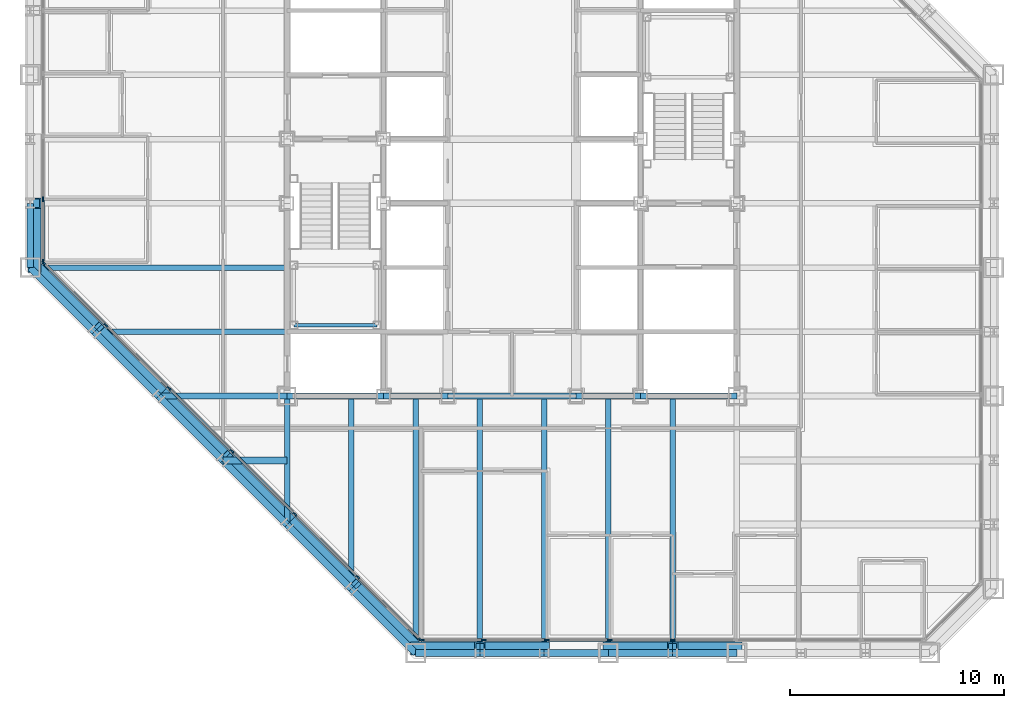
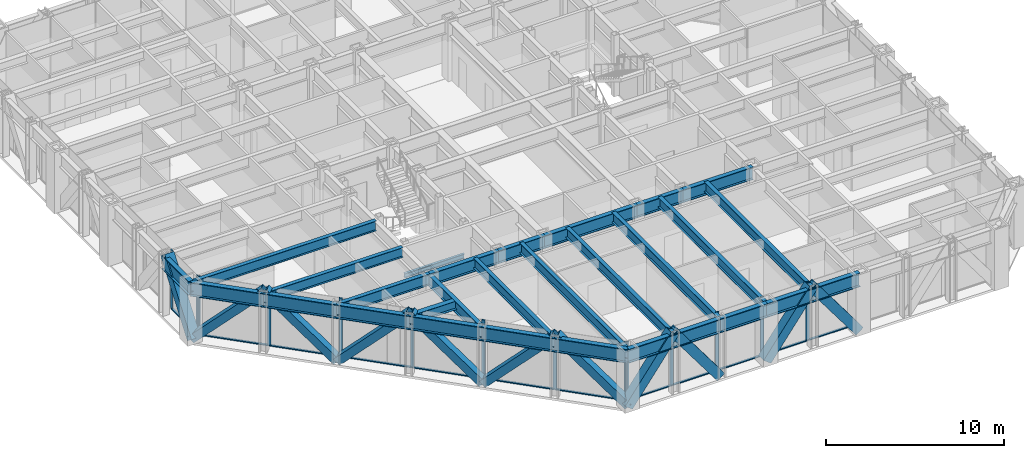
# One storey, part 4 of 16: 37 members, 29 beams, 3 elements without a shape of their own.
"""IFC4 building model written with IfcOpenShell, lengths in metres."""

from ifc_helpers import new_model, si_unit, direction, frame, origin, origin_2d, place, context, subcontext, project, spatial, rectangle, hollow_rectangle, i_section, extrude, material, layer, layer_set, material_profile, profile_set, type_object, element, aggregate, save


model = new_model("IFC4")

# Units and contexts
model_context = context("Model", 3, precision=1e-05, world=origin(), true_north=direction((0.0, 1.0)))
body_context = subcontext(model_context, "Body", "Model", "MODEL_VIEW")
ifc_project = project(units=[si_unit("LENGTHUNIT", "METRE"), si_unit("AREAUNIT", "SQUARE_METRE"), si_unit("VOLUMEUNIT", "CUBIC_METRE"), si_unit("PLANEANGLEUNIT", "RADIAN"), si_unit("MASSUNIT", "GRAM", prefix="KILO")], contexts=[model_context])

# Site, building, storey
site_placement = place(None, origin())
site = spatial("IfcSite", under=ifc_project, at=site_placement, CompositionType="ELEMENT")
building_placement = place(site_placement, origin())
building = spatial("IfcBuilding", under=site, at=building_placement, Name="Chuquiago Exchange Tower", CompositionType="ELEMENT")
storey_placement = place(building_placement, frame((0.0, 0.0, 140.39990234375)))
storey = spatial("IfcBuildingStorey", under=building, at=storey_placement, Name="L30", CompositionType="ELEMENT", Elevation=140.39990234375)

# Beams
ifc_material_1 = material(Name="Steel ASTM A992", Category="steel")
ifc_material_profile_1 = material_profile(ifc_material_1, i_section(OverallWidth=0.25390625, OverallDepth=0.683349609375, WebThickness=0.012451171875, FlangeThickness=0.018798828125, at=origin_2d()), Name="W27X94")
ifc_profile_set_1 = profile_set([ifc_material_profile_1], Name="Steel ASTM A992")
beam_type_1 = type_object("IfcBeamType", Name="B1 W27X94", PredefinedType="BEAM", material=ifc_profile_set_1)
beam_1_placement = place(storey_placement, frame((15.0, 12.0, 3.698486328125), z_axis=(0.0, -1.0, 0.0), x_axis=(1.0, 0.0, 0.0)))
element("IfcBeam", 1, at=beam_1_placement, inside=storey, type_object=beam_type_1, Name="FB-L31-infill-15_12-15_3-0", PredefinedType="BEAM", context=body_context, shape_type="SweptSolid", body=[
    extrude(i_section(OverallWidth=0.25390625, OverallDepth=0.683349609375, WebThickness=0.012451171875, FlangeThickness=0.018798828125, at=origin_2d()), origin(), (0.0, 0.0, 1.0), 9.0),
])
for number, where, z_axis, x_axis, name in (
    (2, (18.0, 12.0, 3.698486328125), (0.0, -1.0, 0.0), (1.0, 0.0, 0.0), "FB-L31-infill-18_12-18_-0-0"),
    (3, (21.0, 12.0, 3.698486328125), (0.0, -1.0, 0.0), (1.0, 0.0, 0.0), "FB-L31-infill-21_12-21_-0-0"),
    (4, (24.0, 12.0, 3.698486328125), (0.0, -1.0, 0.0), (1.0, 0.0, 0.0), "FB-L31-infill-24_12-24_-0-0"),
    (5, (27.0, 12.0, 3.698486328125), (0.0, -1.0, 0.0), (1.0, 0.0, 0.0), "FB-L31-infill-27_12-27_-0-0"),
    (6, (30.0, 12.0, 3.698486328125), (0.0, -1.0, 0.0), (1.0, 0.0, 0.0), "FB-L31-infill-30_12-30_-0-0"),
):
    element("IfcBeam", number, at=place(storey_placement, frame(where, z_axis=z_axis, x_axis=x_axis)), inside=storey, type_object=beam_type_1, Name=name, PredefinedType="BEAM", context=body_context, shape_type="SweptSolid", body=[
        extrude(i_section(OverallWidth=0.25390625, OverallDepth=0.683349609375, WebThickness=0.012451171875, FlangeThickness=0.018798828125, at=origin_2d()), origin(), (0.0, 0.0, 1.0), 12.0),
    ])
beam_2_placement = place(storey_placement, frame((12.0, 15.0, 3.698486328125), z_axis=(-1.0, 0.0, 0.0), x_axis=(0.0, -1.0, 0.0)))
element("IfcBeam", 7, at=beam_2_placement, inside=storey, type_object=beam_type_1, Name="FB-L31-infill-12_15-3_15-0", PredefinedType="BEAM", context=body_context, shape_type="SweptSolid", body=[
    extrude(i_section(OverallWidth=0.25390625, OverallDepth=0.683349609375, WebThickness=0.012451171875, FlangeThickness=0.018798828125, at=origin_2d()), origin(), (0.0, 0.0, 1.0), 9.0),
])
beam_3_placement = place(storey_placement, frame((12.0, 18.0, 3.698486328125), z_axis=(-1.0, 0.0, 0.0), x_axis=(0.0, -1.0, 0.0)))
element("IfcBeam", 8, at=beam_3_placement, inside=storey, type_object=beam_type_1, Name="FB-L31-infill-12_18--0_18-0", PredefinedType="BEAM", context=body_context, shape_type="SweptSolid", body=[
    extrude(i_section(OverallWidth=0.25390625, OverallDepth=0.683349609375, WebThickness=0.012451171875, FlangeThickness=0.018798828125, at=origin_2d()), origin(), (0.0, 0.0, 1.0), 12.0),
])
ifc_material_2 = material(Name="Steel ASTM A992", Category="steel")
ifc_material_profile_2 = material_profile(ifc_material_2, i_section(OverallWidth=0.3251953125, OverallDepth=0.612060546875, WebThickness=0.0126953125, FlangeThickness=0.01904296875, at=origin_2d()), Name="W24X104")
ifc_profile_set_2 = profile_set([ifc_material_profile_2], Name="Steel ASTM A992")
beam_type_2 = type_object("IfcBeamType", Name="B2 W24X104", PredefinedType="BEAM", material=ifc_profile_set_2)
beam_4_placement = place(storey_placement, frame((12.0, 9.0, 3.73388671875), z_axis=(-1.0, 0.0, 0.0), x_axis=(0.0, -1.0, 0.0)))
element("IfcBeam", 9, at=beam_4_placement, inside=storey, type_object=beam_type_2, Name="FB-L31-corner-12_9-9_9-0", PredefinedType="BEAM", context=body_context, shape_type="SweptSolid", body=[
    extrude(i_section(OverallWidth=0.3251953125, OverallDepth=0.612060546875, WebThickness=0.0126953125, FlangeThickness=0.01904296875, at=origin_2d()), origin(), (0.0, 0.0, 1.0), 3.0),
])
ifc_material_3 = material(Name="Steel ASTM A992", Category="steel")
ifc_material_profile_3 = material_profile(ifc_material_3, i_section(OverallWidth=0.2919921875, OverallDepth=0.8583984375, WebThickness=0.01708984375, FlangeThickness=0.031005859375, at=origin_2d()), Name="W33X169")
ifc_profile_set_3 = profile_set([ifc_material_profile_3], Name="Steel ASTM A992")
beam_type_3 = type_object("IfcBeamType", Name="B3 W33X169", PredefinedType="BEAM", material=ifc_profile_set_3)
beam_5_placement = place(storey_placement, frame((12.0, 12.0, 3.61083984375), z_axis=(1.0, 0.0, 0.0), x_axis=(0.0, 1.0, 0.0)))
element("IfcBeam", 10, at=beam_5_placement, inside=storey, type_object=beam_type_3, Name="CB-L31-12_12-16.5_12", PredefinedType="BEAM", context=body_context, shape_type="SweptSolid", body=[
    extrude(i_section(OverallWidth=0.2919921875, OverallDepth=0.8583984375, WebThickness=0.01708984375, FlangeThickness=0.031005859375, at=origin_2d()), origin(), (0.0, 0.0, 1.0), 4.5),
])
beam_6_placement = place(storey_placement, frame((16.5, 12.0, 3.61083984375), z_axis=(1.0, 0.0, 0.0), x_axis=(0.0, 1.0, 0.0)))
element("IfcBeam", 11, at=beam_6_placement, inside=storey, type_object=beam_type_3, Name="CB-L31-16.5_12-19.5_12", PredefinedType="BEAM", context=body_context, shape_type="SweptSolid", body=[
    extrude(i_section(OverallWidth=0.2919921875, OverallDepth=0.8583984375, WebThickness=0.01708984375, FlangeThickness=0.031005859375, at=origin_2d()), origin(), (0.0, 0.0, 1.0), 3.0),
])
beam_7_placement = place(storey_placement, frame((19.5, 12.0, 3.61083984375), z_axis=(1.0, 0.0, 0.0), x_axis=(0.0, 1.0, 0.0)))
element("IfcBeam", 12, at=beam_7_placement, inside=storey, type_object=beam_type_3, Name="CB-L31-19.5_12-25.5_12", PredefinedType="BEAM", context=body_context, shape_type="SweptSolid", body=[
    extrude(i_section(OverallWidth=0.2919921875, OverallDepth=0.8583984375, WebThickness=0.01708984375, FlangeThickness=0.031005859375, at=origin_2d()), origin(), (0.0, 0.0, 1.0), 6.0),
])
beam_8_placement = place(storey_placement, frame((25.5, 12.0, 3.61083984375), z_axis=(1.0, 0.0, 0.0), x_axis=(0.0, 1.0, 0.0)))
element("IfcBeam", 13, at=beam_8_placement, inside=storey, type_object=beam_type_3, Name="CB-L31-25.5_12-28.5_12", PredefinedType="BEAM", context=body_context, shape_type="SweptSolid", body=[
    extrude(i_section(OverallWidth=0.2919921875, OverallDepth=0.8583984375, WebThickness=0.01708984375, FlangeThickness=0.031005859375, at=origin_2d()), origin(), (0.0, 0.0, 1.0), 3.0),
])
beam_9_placement = place(storey_placement, frame((28.5, 12.0, 3.61083984375), z_axis=(1.0, 0.0, 0.0), x_axis=(0.0, 1.0, 0.0)))
element("IfcBeam", 14, at=beam_9_placement, inside=storey, type_object=beam_type_3, Name="CB-L31-28.5_12-33_12", PredefinedType="BEAM", context=body_context, shape_type="SweptSolid", body=[
    extrude(i_section(OverallWidth=0.2919921875, OverallDepth=0.8583984375, WebThickness=0.01708984375, FlangeThickness=0.031005859375, at=origin_2d()), origin(), (0.0, 0.0, 1.0), 4.5),
])

# Curtain wall, members
ifc_material_4 = material(Name="Aluminium curtain wall system", Category="aluminium")
ifc_layer_1 = layer(ifc_material_4, 0.22509765625)
ifc_layer_set_1 = layer_set([ifc_layer_1], Name="CW2 office curtain wall")
curtain_wall_type_1 = type_object("IfcCurtainWallType", Name="CW2 office curtain wall", PredefinedType="NOTDEFINED", material=ifc_layer_set_1)
curtain_wall_1_placement = place(storey_placement, origin())
curtain_wall_1 = element("IfcCurtainWall", 15, at=curtain_wall_1_placement, inside=storey, type_object=curtain_wall_type_1, Name="CW2 curtain wall L30", PredefinedType="NOTDEFINED")
ifc_material_5 = material(Name="Aluminium mullion, pale anodised", Category="aluminium")
ifc_material_profile_4 = material_profile(ifc_material_5, rectangle(XDim=0.06494140625, YDim=0.22509765625, at=origin_2d()), Name="AL 65x225")
ifc_profile_set_4 = profile_set([ifc_material_profile_4], Name="Aluminium mullion, pale anodised")
member_type_1 = type_object("IfcMemberType", Name="CW2-M mullion 65x225", PredefinedType="MULLION", material=ifc_profile_set_4)
member_1_placement = place(storey_placement, frame((18.281005859375, 0.60009765625, 0.0), z_axis=(0.0, 0.0, 1.0), x_axis=(0.0, 1.0, 0.0)))
member_1 = element("IfcMember", 16, at=member_1_placement, type_object=member_type_1, Name="CW2 mullion 1", PredefinedType="MULLION", context=body_context, shape_type="SweptSolid", body=[
    extrude(rectangle(XDim=0.06494140625, YDim=0.22509765625, at=origin_2d()), origin(), (0.0, 0.0, 1.0), 4.0400390625),
])
member_2_placement = place(storey_placement, frame((21.186279296875, 0.60009765625, 0.0), z_axis=(0.0, 0.0, 1.0), x_axis=(0.0, 1.0, 0.0)))
member_2 = element("IfcMember", 17, at=member_2_placement, type_object=member_type_1, Name="CW2 mullion 2", PredefinedType="MULLION", context=body_context, shape_type="SweptSolid", body=[
    extrude(rectangle(XDim=0.06494140625, YDim=0.22509765625, at=origin_2d()), origin(), (0.0, 0.0, 1.0), 4.0400390625),
])
member_3_placement = place(storey_placement, frame((24.124267578125, 0.60009765625, 0.0), z_axis=(0.0, 0.0, 1.0), x_axis=(0.0, 1.0, 0.0)))
member_3 = element("IfcMember", 18, at=member_3_placement, type_object=member_type_1, Name="CW2 mullion 3", PredefinedType="MULLION", context=body_context, shape_type="SweptSolid", body=[
    extrude(rectangle(XDim=0.06494140625, YDim=0.22509765625, at=origin_2d()), origin(), (0.0, 0.0, 1.0), 4.0400390625),
])
member_4_placement = place(storey_placement, frame((27.06201171875, 0.60009765625, 0.0), z_axis=(0.0, 0.0, 1.0), x_axis=(0.0, 1.0, 0.0)))
member_4 = element("IfcMember", 19, at=member_4_placement, type_object=member_type_1, Name="CW2 mullion 4", PredefinedType="MULLION", context=body_context, shape_type="SweptSolid", body=[
    extrude(rectangle(XDim=0.06494140625, YDim=0.22509765625, at=origin_2d()), origin(), (0.0, 0.0, 1.0), 4.0400390625),
])
member_5_placement = place(storey_placement, frame((30.0, 0.60009765625, 0.0), z_axis=(0.0, 0.0, 1.0), x_axis=(0.0, 1.0, 0.0)))
member_5 = element("IfcMember", 20, at=member_5_placement, type_object=member_type_1, Name="CW2 mullion 5", PredefinedType="MULLION", context=body_context, shape_type="SweptSolid", body=[
    extrude(rectangle(XDim=0.06494140625, YDim=0.22509765625, at=origin_2d()), origin(), (0.0, 0.0, 1.0), 4.0400390625),
])

curtain_wall_2_placement = place(storey_placement, origin())
curtain_wall_2 = element("IfcCurtainWall", 21, at=curtain_wall_2_placement, inside=storey, type_object=curtain_wall_type_1, Name="CW2 curtain wall L30", PredefinedType="NOTDEFINED")
member_6_placement = place(storey_placement, frame((0.60009765625, 21.186279296875, 0.0), z_axis=(0.0, 0.0, 1.0), x_axis=(1.0, 0.0, 0.0)))
member_6 = element("IfcMember", 22, at=member_6_placement, type_object=member_type_1, Name="CW2 mullion 8", PredefinedType="MULLION", context=body_context, shape_type="SweptSolid", body=[
    extrude(rectangle(XDim=0.06494140625, YDim=0.22509765625, at=origin_2d()), origin(), (0.0, 0.0, 1.0), 4.0400390625),
])
member_7_placement = place(storey_placement, frame((0.60009765625, 18.281005859375, 0.0), z_axis=(0.0, 0.0, 1.0), x_axis=(1.0, 0.0, 0.0)))
member_7 = element("IfcMember", 23, at=member_7_placement, type_object=member_type_1, Name="CW2 mullion 9", PredefinedType="MULLION", context=body_context, shape_type="SweptSolid", body=[
    extrude(rectangle(XDim=0.06494140625, YDim=0.22509765625, at=origin_2d()), origin(), (0.0, 0.0, 1.0), 4.0400390625),
])

# Member
ifc_material_6 = material(Name="Aluminium transom, pale anodised", Category="aluminium")
ifc_material_profile_5 = material_profile(ifc_material_6, rectangle(XDim=0.139892578125, YDim=0.06494140625, at=origin_2d()), Name="AL 140x65")
ifc_profile_set_5 = profile_set([ifc_material_profile_5], Name="Aluminium transom, pale anodised")
member_type_2 = type_object("IfcMemberType", Name="CW2-T transom 65x140", PredefinedType="MULLION", material=ifc_profile_set_5)
member_8_placement = place(storey_placement, frame((18.3134765625, 0.60009765625, 0.03271484375), z_axis=(1.0, 0.0, 0.0), x_axis=(0.0, 1.0, 0.0)))
member_8 = element("IfcMember", 24, at=member_8_placement, type_object=member_type_2, Name="CW2 transom 1.1", PredefinedType="MULLION", context=body_context, shape_type="SweptSolid", body=[
    extrude(rectangle(XDim=0.139892578125, YDim=0.06494140625, at=origin_2d()), origin(), (0.0, 0.0, 1.0), 2.84033203125),
])

member_9_placement = place(storey_placement, frame((21.218994140625, 0.60009765625, 0.03271484375), z_axis=(1.0, 0.0, 0.0), x_axis=(0.0, 1.0, 0.0)))
member_9 = element("IfcMember", 25, at=member_9_placement, type_object=member_type_2, Name="CW2 transom 2.1", PredefinedType="MULLION", context=body_context, shape_type="SweptSolid", body=[
    extrude(rectangle(XDim=0.139892578125, YDim=0.06494140625, at=origin_2d()), origin(), (0.0, 0.0, 1.0), 2.872802734375),
])

member_10_placement = place(storey_placement, frame((24.15673828125, 0.60009765625, 0.03271484375), z_axis=(1.0, 0.0, 0.0), x_axis=(0.0, 1.0, 0.0)))
member_10 = element("IfcMember", 26, at=member_10_placement, type_object=member_type_2, Name="CW2 transom 3.1", PredefinedType="MULLION", context=body_context, shape_type="SweptSolid", body=[
    extrude(rectangle(XDim=0.139892578125, YDim=0.06494140625, at=origin_2d()), origin(), (0.0, 0.0, 1.0), 2.872802734375),
])

member_11_placement = place(storey_placement, frame((27.0947265625, 0.60009765625, 0.03271484375), z_axis=(1.0, 0.0, 0.0), x_axis=(0.0, 1.0, 0.0)))
member_11 = element("IfcMember", 27, at=member_11_placement, type_object=member_type_2, Name="CW2 transom 4.1", PredefinedType="MULLION", context=body_context, shape_type="SweptSolid", body=[
    extrude(rectangle(XDim=0.139892578125, YDim=0.06494140625, at=origin_2d()), origin(), (0.0, 0.0, 1.0), 2.872802734375),
])

member_12_placement = place(storey_placement, frame((30.032470703125, 0.60009765625, 0.03271484375), z_axis=(1.0, 0.0, 0.0), x_axis=(0.0, 1.0, 0.0)))
member_12 = element("IfcMember", 28, at=member_12_placement, type_object=member_type_2, Name="CW2 transom 5.1", PredefinedType="MULLION", context=body_context, shape_type="SweptSolid", body=[
    extrude(rectangle(XDim=0.139892578125, YDim=0.06494140625, at=origin_2d()), origin(), (0.0, 0.0, 1.0), 2.872802734375),
])

aggregate(curtain_wall_1, [member_1, member_2, member_3, member_4, member_5, member_8, member_9, member_10, member_11, member_12])

member_13_placement = place(storey_placement, frame((0.60009765625, 21.15380859375, 0.03271484375), z_axis=(0.0, -1.0, 0.0), x_axis=(1.0, 0.0, 0.0)))
member_13 = element("IfcMember", 29, at=member_13_placement, type_object=member_type_2, Name="CW2 transom 8.1", PredefinedType="MULLION", context=body_context, shape_type="SweptSolid", body=[
    extrude(rectangle(XDim=0.139892578125, YDim=0.06494140625, at=origin_2d()), origin(), (0.0, 0.0, 1.0), 2.84033203125),
])

aggregate(curtain_wall_2, [member_6, member_7, member_13])

# Curtain wall, members
ifc_material_7 = material(Name="Aluminium curtain wall system", Category="aluminium")
ifc_layer_2 = layer(ifc_material_7, 0.199951171875)
ifc_layer_set_2 = layer_set([ifc_layer_2], Name="CW3 facet curtain wall")
curtain_wall_type_2 = type_object("IfcCurtainWallType", Name="CW3 facet curtain wall", PredefinedType="NOTDEFINED", material=ifc_layer_set_2)
curtain_wall_3_placement = place(storey_placement, origin())
curtain_wall_3 = element("IfcCurtainWall", 30, at=curtain_wall_3_placement, inside=storey, type_object=curtain_wall_type_2, Name="CW3 curtain wall L30", PredefinedType="NOTDEFINED")
ifc_material_8 = material(Name="Aluminium mullion, pale anodised", Category="aluminium")
ifc_material_profile_6 = material_profile(ifc_material_8, rectangle(XDim=0.06494140625, YDim=0.199951171875, at=origin_2d()), Name="AL 65x200")
ifc_profile_set_6 = profile_set([ifc_material_profile_6], Name="Aluminium mullion, pale anodised")
member_type_3 = type_object("IfcMemberType", Name="CW3-M mullion 65x200", PredefinedType="MULLION", material=ifc_profile_set_6)
member_14_placement = place(storey_placement, frame((0.623046875, 18.2255859375, 0.0), z_axis=(0.0, 0.0, 1.0), x_axis=(0.707106781187, 0.707106781187, 0.0)))
member_14 = element("IfcMember", 31, at=member_14_placement, type_object=member_type_3, Name="CW3 mullion 1", PredefinedType="MULLION", context=body_context, shape_type="SweptSolid", body=[
    extrude(rectangle(XDim=0.06494140625, YDim=0.199951171875, at=origin_2d()), origin(), (0.0, 0.0, 1.0), 4.0400390625),
])
member_15_placement = place(storey_placement, frame((3.54150390625, 15.30712890625, 0.0), z_axis=(0.0, 0.0, 1.0), x_axis=(0.707106781187, 0.707106781187, 0.0)))
member_15 = element("IfcMember", 32, at=member_15_placement, type_object=member_type_3, Name="CW3 mullion 2", PredefinedType="MULLION", context=body_context, shape_type="SweptSolid", body=[
    extrude(rectangle(XDim=0.06494140625, YDim=0.199951171875, at=origin_2d()), origin(), (0.0, 0.0, 1.0), 4.0400390625),
])
member_16_placement = place(storey_placement, frame((6.48291015625, 12.36572265625, 0.0), z_axis=(0.0, 0.0, 1.0), x_axis=(0.707106781187, 0.707106781187, 0.0)))
member_16 = element("IfcMember", 33, at=member_16_placement, type_object=member_type_3, Name="CW3 mullion 3", PredefinedType="MULLION", context=body_context, shape_type="SweptSolid", body=[
    extrude(rectangle(XDim=0.06494140625, YDim=0.199951171875, at=origin_2d()), origin(), (0.0, 0.0, 1.0), 4.0400390625),
])
member_17_placement = place(storey_placement, frame((9.42431640625, 9.42431640625, 0.0), z_axis=(0.0, 0.0, 1.0), x_axis=(0.707106781187, 0.707106781187, 0.0)))
member_17 = element("IfcMember", 34, at=member_17_placement, type_object=member_type_3, Name="CW3 mullion 4", PredefinedType="MULLION", context=body_context, shape_type="SweptSolid", body=[
    extrude(rectangle(XDim=0.06494140625, YDim=0.199951171875, at=origin_2d()), origin(), (0.0, 0.0, 1.0), 4.0400390625),
])
member_18_placement = place(storey_placement, frame((12.36572265625, 6.48291015625, 0.0), z_axis=(0.0, 0.0, 1.0), x_axis=(0.707106781187, 0.707106781187, 0.0)))
member_18 = element("IfcMember", 35, at=member_18_placement, type_object=member_type_3, Name="CW3 mullion 5", PredefinedType="MULLION", context=body_context, shape_type="SweptSolid", body=[
    extrude(rectangle(XDim=0.06494140625, YDim=0.199951171875, at=origin_2d()), origin(), (0.0, 0.0, 1.0), 4.0400390625),
])
member_19_placement = place(storey_placement, frame((15.30712890625, 3.54150390625, 0.0), z_axis=(0.0, 0.0, 1.0), x_axis=(0.707106781187, 0.707106781187, 0.0)))
member_19 = element("IfcMember", 36, at=member_19_placement, type_object=member_type_3, Name="CW3 mullion 6", PredefinedType="MULLION", context=body_context, shape_type="SweptSolid", body=[
    extrude(rectangle(XDim=0.06494140625, YDim=0.199951171875, at=origin_2d()), origin(), (0.0, 0.0, 1.0), 4.0400390625),
])
member_20_placement = place(storey_placement, frame((18.2255859375, 0.623046875, 0.0), z_axis=(0.0, 0.0, 1.0), x_axis=(0.707106781187, 0.707106781187, 0.0)))
member_20 = element("IfcMember", 37, at=member_20_placement, type_object=member_type_3, Name="CW3 mullion 7", PredefinedType="MULLION", context=body_context, shape_type="SweptSolid", body=[
    extrude(rectangle(XDim=0.06494140625, YDim=0.199951171875, at=origin_2d()), origin(), (0.0, 0.0, 1.0), 4.0400390625),
])
ifc_material_9 = material(Name="Aluminium transom, pale anodised", Category="aluminium")
ifc_material_profile_7 = material_profile(ifc_material_9, rectangle(XDim=0.139892578125, YDim=0.06494140625, at=origin_2d()), Name="AL 140x65")
ifc_profile_set_7 = profile_set([ifc_material_profile_7], Name="Aluminium transom, pale anodised")
member_type_4 = type_object("IfcMemberType", Name="CW3-T transom 65x140", PredefinedType="MULLION", material=ifc_profile_set_7)
member_21_placement = place(storey_placement, frame((0.64599609375, 18.20263671875, 0.03271484375), z_axis=(0.707106781187, -0.707106781187, 0.0), x_axis=(0.707106781187, 0.707106781187, 0.0)))
member_21 = element("IfcMember", 38, at=member_21_placement, type_object=member_type_4, Name="CW3 transom 1.1", PredefinedType="MULLION", context=body_context, shape_type="SweptSolid", body=[
    extrude(rectangle(XDim=0.139892578125, YDim=0.06494140625, at=origin_2d()), origin(), (0.0, 0.0, 1.0), 4.0625),
])
member_22_placement = place(storey_placement, frame((3.564453125, 15.2841796875, 0.03271484375), z_axis=(0.707106781187, -0.707106781187, 0.0), x_axis=(0.707106781187, 0.707106781187, 0.0)))
member_22 = element("IfcMember", 39, at=member_22_placement, type_object=member_type_4, Name="CW3 transom 2.1", PredefinedType="MULLION", context=body_context, shape_type="SweptSolid", body=[
    extrude(rectangle(XDim=0.139892578125, YDim=0.06494140625, at=origin_2d()), origin(), (0.0, 0.0, 1.0), 4.094970703125),
])
member_23_placement = place(storey_placement, frame((6.505859375, 12.3427734375, 0.03271484375), z_axis=(0.707106781187, -0.707106781187, 0.0), x_axis=(0.707106781187, 0.707106781187, 0.0)))
member_23 = element("IfcMember", 40, at=member_23_placement, type_object=member_type_4, Name="CW3 transom 3.1", PredefinedType="MULLION", context=body_context, shape_type="SweptSolid", body=[
    extrude(rectangle(XDim=0.139892578125, YDim=0.06494140625, at=origin_2d()), origin(), (0.0, 0.0, 1.0), 4.094970703125),
])
member_24_placement = place(storey_placement, frame((9.447265625, 9.4013671875, 0.03271484375), z_axis=(0.707106781187, -0.707106781187, 0.0), x_axis=(0.707106781187, 0.707106781187, 0.0)))
member_24 = element("IfcMember", 41, at=member_24_placement, type_object=member_type_4, Name="CW3 transom 4.1", PredefinedType="MULLION", context=body_context, shape_type="SweptSolid", body=[
    extrude(rectangle(XDim=0.139892578125, YDim=0.06494140625, at=origin_2d()), origin(), (0.0, 0.0, 1.0), 4.094970703125),
])
member_25_placement = place(storey_placement, frame((12.388671875, 6.4599609375, 0.03271484375), z_axis=(0.707106781187, -0.707106781187, 0.0), x_axis=(0.707106781187, 0.707106781187, 0.0)))
member_25 = element("IfcMember", 42, at=member_25_placement, type_object=member_type_4, Name="CW3 transom 5.1", PredefinedType="MULLION", context=body_context, shape_type="SweptSolid", body=[
    extrude(rectangle(XDim=0.139892578125, YDim=0.06494140625, at=origin_2d()), origin(), (0.0, 0.0, 1.0), 4.094970703125),
])
member_26_placement = place(storey_placement, frame((15.330078125, 3.5185546875, 0.03271484375), z_axis=(0.707106781187, -0.707106781187, 0.0), x_axis=(0.707106781187, 0.707106781187, 0.0)))
member_26 = element("IfcMember", 43, at=member_26_placement, type_object=member_type_4, Name="CW3 transom 6.1", PredefinedType="MULLION", context=body_context, shape_type="SweptSolid", body=[
    extrude(rectangle(XDim=0.139892578125, YDim=0.06494140625, at=origin_2d()), origin(), (0.0, 0.0, 1.0), 4.0625),
])
aggregate(curtain_wall_3, [member_14, member_15, member_16, member_17, member_18, member_19, member_20, member_21, member_22, member_23, member_24, member_25, member_26])

# Beams
ifc_material_10 = material(Name="Steel ASTM A992", Category="steel")
ifc_material_profile_8 = material_profile(ifc_material_10, i_section(OverallWidth=0.2666015625, OverallDepth=0.76953125, WebThickness=0.015625, FlangeThickness=0.025390625, at=origin_2d()), Name="W30X132")
ifc_profile_set_8 = profile_set([ifc_material_profile_8], Name="Steel ASTM A992")
beam_type_4 = type_object("IfcBeamType", Name="G1 W30X132", PredefinedType="BEAM", material=ifc_profile_set_8)
for number, where, z_axis, x_axis, name in (
    (44, (12.0, 12.0, 3.6552734375), (0.0, -1.0, 0.0), (1.0, 0.0, 0.0), "FB-L31-girder-12_12-12_6-0"),
    (45, (12.0, 12.0, 3.6552734375), (-1.0, 0.0, 0.0), (0.0, -1.0, 0.0), "FB-L31-girder-12_12-6_12-0"),
):
    element("IfcBeam", number, at=place(storey_placement, frame(where, z_axis=z_axis, x_axis=x_axis)), inside=storey, type_object=beam_type_4, Name=name, PredefinedType="BEAM", context=body_context, shape_type="SweptSolid", body=[
        extrude(i_section(OverallWidth=0.2666015625, OverallDepth=0.76953125, WebThickness=0.015625, FlangeThickness=0.025390625, at=origin_2d()), origin(), (0.0, 0.0, 1.0), 6.0),
    ])

# Members
ifc_material_11 = material(Name="Steel ASTM A500 Grade C", Category="steel")
ifc_material_profile_9 = material_profile(ifc_material_11, hollow_rectangle(XDim=0.508056640625, YDim=0.508056640625, WallThickness=0.017822265625, at=origin_2d()), Name="HSS20X20X3/4")
ifc_profile_set_9 = profile_set([ifc_material_profile_9], Name="Steel ASTM A500 Grade C")
member_type_5 = type_object("IfcMemberType", Name="LB1 HSS20X20X3/4", PredefinedType="BRACE", material=ifc_profile_set_9)
for number, where, z_axis, x_axis, name in (
    (46, (0.177490234375, 18.177490234375, 0.0), (0.512077265487, -0.512077265487, 0.689604051861), (0.707106781187, 0.707106781187, 0.0), "LB-L30-0_18-3_15"),
    (47, (6.177490234375, 12.177490234375, 0.0), (-0.512077265487, 0.512077265487, 0.689604051861), (-0.707106781187, -0.707106781187, 0.0), "LB-L30-3_15-6_12"),
    (48, (6.177490234375, 12.177490234375, 0.0), (0.512077265487, -0.512077265487, 0.689604051861), (0.707106781187, 0.707106781187, 0.0), "LB-L30-6_12-9_9"),
    (49, (12.177490234375, 6.177490234375, 0.0), (-0.512077265487, 0.512077265487, 0.689604051861), (-0.707106781187, -0.707106781187, 0.0), "LB-L30-9_9-12_6"),
    (50, (12.177490234375, 6.177490234375, 0.0), (0.512077265487, -0.512077265487, 0.689604051861), (0.707106781187, 0.707106781187, 0.0), "LB-L30-12_6-15_3"),
    (51, (18.177490234375, 0.177490234375, 0.0), (-0.512077265487, 0.512077265487, 0.689604051861), (-0.707106781187, -0.707106781187, 0.0), "LB-L30-15_3-18_0"),
):
    element("IfcMember", number, at=place(storey_placement, frame(where, z_axis=z_axis, x_axis=x_axis)), inside=storey, type_object=member_type_5, Name=name, PredefinedType="BRACE", context=body_context, shape_type="SweptSolid", body=[
        extrude(hollow_rectangle(XDim=0.508056640625, YDim=0.508056640625, WallThickness=0.017822265625, at=origin_2d()), origin(), (0.0, 0.0, 1.0), 5.8583984375),
    ])

# Beam
ifc_material_12 = material(Name="Steel ASTM A992", Category="steel")
ifc_material_profile_10 = material_profile(ifc_material_12, i_section(OverallWidth=0.164794921875, OverallDepth=0.309814453125, WebThickness=0.005859375, FlangeThickness=0.009765625, at=origin_2d()), Name="W12X26")
ifc_profile_set_10 = profile_set([ifc_material_profile_10], Name="Steel ASTM A992")
beam_type_5 = type_object("IfcBeamType", Name="LT1 W12X26", PredefinedType="BEAM", material=ifc_profile_set_10)
beam_10_placement = place(storey_placement, frame((12.31005859375, 15.31005859375, 1.7451171875), z_axis=(1.0, 0.0, 0.0), x_axis=(0.0, 1.0, 0.0)))
element("IfcBeam", 52, at=beam_10_placement, inside=storey, type_object=beam_type_5, Name="Stair ST1 L30 landing 1 trimmer", PredefinedType="BEAM", context=body_context, shape_type="SweptSolid", body=[
    extrude(i_section(OverallWidth=0.164794921875, OverallDepth=0.309814453125, WebThickness=0.005859375, FlangeThickness=0.009765625, at=origin_2d()), origin(), (0.0, 0.0, 1.0), 3.8798828125),
])

# Members
ifc_material_13 = material(Name="Steel ASTM A572 Grade 50", Category="steel")
ifc_material_profile_11 = material_profile(ifc_material_13, hollow_rectangle(XDim=0.60009765625, YDim=0.60009765625, WallThickness=0.06005859375, at=origin_2d()), Name="BOX600X600X60")
ifc_profile_set_11 = profile_set([ifc_material_profile_11], Name="Steel ASTM A572 Grade 50")
member_type_6 = type_object("IfcMemberType", Name="MB2 BOX600X600X60", PredefinedType="BRACE", material=ifc_profile_set_11)
for number, where, z_axis, x_axis, name in (
    (53, (18.0, 0.205078125, 0.0), (0.596173923302, 0.0, 0.802855312728), (0.0, 1.0, 0.0), "Mega diagonal L30 S face"),
    (54, (24.0, 0.205078125, 0.0), (-0.596173923302, 0.0, 0.802855312728), (0.0, -1.0, 0.0), "Mega diagonal L30 S face"),
    (55, (27.0, 0.205078125, 0.0), (0.596173923302, 0.0, 0.802855312728), (0.0, 1.0, 0.0), "Mega diagonal L30 S face"),
    (56, (33.0, 0.205078125, 0.0), (-0.596173923302, 0.0, 0.802855312728), (0.0, -1.0, 0.0), "Mega diagonal L30 S face"),
    (57, (0.205078125, 18.0, 0.0), (0.0, 0.596173923302, 0.802855312728), (-1.0, 0.0, 0.0), "Mega diagonal L30 W face"),
):
    element("IfcMember", number, at=place(storey_placement, frame(where, z_axis=z_axis, x_axis=x_axis)), inside=storey, type_object=member_type_6, Name=name, PredefinedType="BRACE", context=body_context, shape_type="SweptSolid", body=[
        extrude(hollow_rectangle(XDim=0.60009765625, YDim=0.60009765625, WallThickness=0.06005859375, at=origin_2d()), origin(), (0.0, 0.0, 1.0), 5.031982421875),
    ])

# Beams
ifc_material_14 = material(Name="Steel ASTM A992", Category="steel")
ifc_material_profile_12 = material_profile(ifc_material_14, i_section(OverallWidth=0.309814453125, OverallDepth=0.949951171875, WebThickness=0.0244140625, FlangeThickness=0.0439453125, at=origin_2d()), Name="W36X256")
ifc_profile_set_12 = profile_set([ifc_material_profile_12], Name="Steel ASTM A992")
beam_type_6 = type_object("IfcBeamType", Name="SP2 W36X256", PredefinedType="SPANDREL", material=ifc_profile_set_12)
for number, where, z_axis, x_axis, name in (
    (58, (18.0, 0.0, 3.565185546875), (1.0, 0.0, 0.0), (0.0, 1.0, 0.0), "SPB-L31-18_0-21_0"),
    (59, (21.0, 0.0, 3.565185546875), (1.0, 0.0, 0.0), (0.0, 1.0, 0.0), "SPB-L31-21_0-24_0"),
    (60, (24.0, 0.0, 3.565185546875), (1.0, 0.0, 0.0), (0.0, 1.0, 0.0), "SPB-L31-24_0-27_0"),
    (61, (27.0, 0.0, 3.565185546875), (1.0, 0.0, 0.0), (0.0, 1.0, 0.0), "SPB-L31-27_0-30_0"),
    (62, (30.0, 0.0, 3.565185546875), (1.0, 0.0, 0.0), (0.0, 1.0, 0.0), "SPB-L31-30_0-33_0"),
    (63, (0.0, 21.0, 3.565185546875), (0.0, -1.0, 0.0), (1.0, 0.0, 0.0), "SPB-L31-0_21-0_18"),
):
    element("IfcBeam", number, at=place(storey_placement, frame(where, z_axis=z_axis, x_axis=x_axis)), inside=storey, type_object=beam_type_6, Name=name, PredefinedType="SPANDREL", context=body_context, shape_type="SweptSolid", body=[
        extrude(i_section(OverallWidth=0.309814453125, OverallDepth=0.949951171875, WebThickness=0.0244140625, FlangeThickness=0.0439453125, at=origin_2d()), origin(), (0.0, 0.0, 1.0), 3.0),
    ])
for number, where, z_axis, x_axis, name in (
    (64, (0.0, 18.0, 3.565185546875), (0.707106781187, -0.707106781187, 0.0), (0.707106781187, 0.707106781187, 0.0), "SPB-L31-0_18-3_15"),
    (65, (3.0, 15.0, 3.565185546875), (0.707106781187, -0.707106781187, 0.0), (0.707106781187, 0.707106781187, 0.0), "SPB-L31-3_15-6_12"),
    (66, (6.0, 12.0, 3.565185546875), (0.707106781187, -0.707106781187, 0.0), (0.707106781187, 0.707106781187, 0.0), "SPB-L31-6_12-9_9"),
    (67, (9.0, 9.0, 3.565185546875), (0.707106781187, -0.707106781187, 0.0), (0.707106781187, 0.707106781187, 0.0), "SPB-L31-9_9-12_6"),
    (68, (12.0, 6.0, 3.565185546875), (0.707106781187, -0.707106781187, 0.0), (0.707106781187, 0.707106781187, 0.0), "SPB-L31-12_6-15_3"),
    (69, (15.0, 3.0, 3.565185546875), (0.707106781187, -0.707106781187, 0.0), (0.707106781187, 0.707106781187, 0.0), "SPB-L31-15_3-18_0"),
):
    element("IfcBeam", number, at=place(storey_placement, frame(where, z_axis=z_axis, x_axis=x_axis)), inside=storey, type_object=beam_type_6, Name=name, PredefinedType="SPANDREL", context=body_context, shape_type="SweptSolid", body=[
        extrude(i_section(OverallWidth=0.309814453125, OverallDepth=0.949951171875, WebThickness=0.0244140625, FlangeThickness=0.0439453125, at=origin_2d()), origin(), (0.0, 0.0, 1.0), 4.24267578125),
    ])

save(model, "model.ifc")
